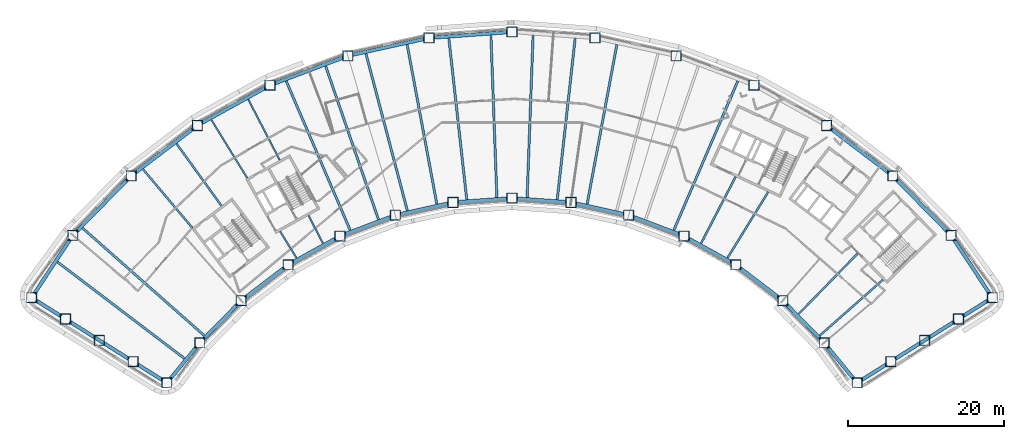
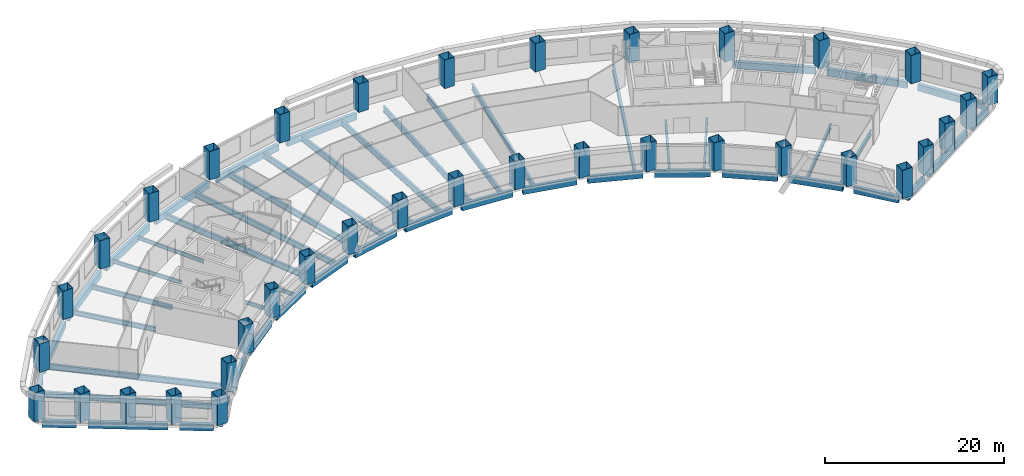
# One storey, part 1 of 11: 52 beams, 36 columns.
"""IFC4 building model written with IfcOpenShell, lengths in metres."""

from ifc_helpers import new_model, si_unit, direction, frame, origin, origin_2d, place, context, subcontext, project, spatial, hollow_rectangle, i_section, extrude, material, material_profile, profile_set, type_object, element, save


model = new_model("IFC4")

# Units and contexts
model_context = context("Model", 3, precision=1e-05, world=origin(), true_north=direction((0.0, 1.0)))
body_context = subcontext(model_context, "Body", "Model", "MODEL_VIEW")
ifc_project = project(units=[si_unit("LENGTHUNIT", "METRE"), si_unit("AREAUNIT", "SQUARE_METRE"), si_unit("VOLUMEUNIT", "CUBIC_METRE"), si_unit("PLANEANGLEUNIT", "RADIAN"), si_unit("MASSUNIT", "GRAM", prefix="KILO")], contexts=[model_context])

# Site, building, storey
site_placement = place(None, origin())
site = spatial("IfcSite", under=ifc_project, at=site_placement, CompositionType="ELEMENT")
building_placement = place(site_placement, origin())
building = spatial("IfcBuilding", under=site, at=building_placement, Name="Tuul Gate Civic Tower", CompositionType="ELEMENT")
storey_placement = place(building_placement, frame((0.0, 0.0, 52.5)))
storey = spatial("IfcBuildingStorey", under=building, at=storey_placement, Name="Level 11", CompositionType="ELEMENT", Elevation=52.5)

# Columns
ifc_material_1 = material(Name="Steel S355", Category="steel")
ifc_material_profile_1 = material_profile(ifc_material_1, hollow_rectangle(XDim=1.300048828125, YDim=1.300048828125, WallThickness=0.0400390625, at=origin_2d()), Name="BOX1300x1300x40")
ifc_profile_set_1 = profile_set([ifc_material_profile_1], Name="Steel S355")
column_type = type_object("IfcColumnType", Name="STR-COLUMN-BOX1300x1300x40", PredefinedType="COLUMN", material=ifc_profile_set_1)
for number, where, z_axis, x_axis, name in (
    (1, (61.6708984375, -20.22998046875, 0.0), (0.0, 0.0, 1.0), (1.0, 0.0, 0.0), "Column"),
    (2, (56.3720703125, -12.217041015625, 0.0), (0.0, 0.0, 1.0), (1.0, 0.0, 0.0), "Column"),
    (3, (48.89794921875, -4.592041015625, 0.0), (0.0, 0.0, 1.0), (1.0, 0.0, 0.0), "Column"),
    (4, (40.402099609375, 1.8759765625, 0.0), (0.0, 0.0, 1.0), (1.0, 0.0, 0.0), "Column"),
    (5, (31.06396484375, 7.052001953125, 0.0), (0.0, 0.0, 1.0), (1.0, 0.0, 0.0), "Column"),
    (6, (21.076904296875, 10.8291015625, 0.0), (0.0, 0.0, 1.0), (1.0, 0.0, 0.0), "Column"),
    (7, (10.64892578125, 13.126953125, 0.0), (0.0, 0.0, 1.0), (1.0, 0.0, 0.0), "Column"),
    (8, (0.0, 13.89794921875, 0.0), (0.0, 0.0, 1.0), (1.0, 0.0, 0.0), "Column"),
    (9, (-10.64892578125, 13.126953125, 0.0), (0.0, 0.0, 1.0), (1.0, 0.0, 0.0), "Column"),
    (10, (-21.076904296875, 10.8291015625, 0.0), (0.0, 0.0, 1.0), (1.0, 0.0, 0.0), "Column"),
    (11, (-31.06396484375, 7.052001953125, 0.0), (0.0, 0.0, 1.0), (1.0, 0.0, 0.0), "Column"),
    (12, (-40.402099609375, 1.8759765625, 0.0), (0.0, 0.0, 1.0), (1.0, 0.0, 0.0), "Column"),
    (13, (-48.89794921875, -4.592041015625, 0.0), (0.0, 0.0, 1.0), (1.0, 0.0, 0.0), "Column"),
    (14, (-56.3720703125, -12.217041015625, 0.0), (0.0, 0.0, 1.0), (1.0, 0.0, 0.0), "Column"),
    (15, (-61.6708984375, -20.22998046875, 0.0), (0.0, 0.0, 1.0), (1.0, 0.0, 0.0), "Column"),
    (16, (-57.327880859375, -22.964111328125, 0.0), (0.0, 0.0, 1.0), (1.0, 0.0, 0.0), "Column"),
    (17, (-52.986083984375, -25.698974609375, 0.0), (0.0, 0.0, 1.0), (1.0, 0.0, 0.0), "Column"),
    (18, (-48.64306640625, -28.43408203125, 0.0), (0.0, 0.0, 1.0), (1.0, 0.0, 0.0), "Column"),
    (19, (-44.301025390625, -31.16796875, 0.0), (0.0, 0.0, 1.0), (1.0, 0.0, 0.0), "Column"),
    (20, (-40.0810546875, -26.02587890625, 0.0), (0.0, 0.0, 1.0), (1.0, 0.0, 0.0), "Column"),
    (21, (-34.76708984375, -20.60498046875, 0.0), (0.0, 0.0, 1.0), (1.0, 0.0, 0.0), "Column"),
    (22, (-28.72705078125, -16.006103515625, 0.0), (0.0, 0.0, 1.0), (1.0, 0.0, 0.0), "Column"),
    (23, (-22.0869140625, -12.324951171875, 0.0), (0.0, 0.0, 1.0), (1.0, 0.0, 0.0), "Column"),
    (24, (-14.986083984375, -9.639892578125, 0.0), (0.0, 0.0, 1.0), (1.0, 0.0, 0.0), "Column"),
    (25, (-7.572021484375, -8.006103515625, 0.0), (0.0, 0.0, 1.0), (1.0, 0.0, 0.0), "Column"),
    (26, (0.0, -7.45703125, 0.0), (0.0, 0.0, 1.0), (1.0, 0.0, 0.0), "Column"),
    (27, (7.572021484375, -8.006103515625, 0.0), (0.0, 0.0, 1.0), (1.0, 0.0, 0.0), "Column"),
    (28, (14.986083984375, -9.639892578125, 0.0), (0.0, 0.0, 1.0), (1.0, 0.0, 0.0), "Column"),
    (29, (22.0869140625, -12.324951171875, 0.0), (0.0, 0.0, 1.0), (1.0, 0.0, 0.0), "Column"),
    (30, (28.72705078125, -16.006103515625, 0.0), (0.0, 0.0, 1.0), (1.0, 0.0, 0.0), "Column"),
    (31, (34.76708984375, -20.60498046875, 0.0), (0.0, 0.0, 1.0), (1.0, 0.0, 0.0), "Column"),
    (32, (40.0810546875, -26.02587890625, 0.0), (0.0, 0.0, 1.0), (1.0, 0.0, 0.0), "Column"),
    (33, (44.301025390625, -31.16796875, 0.0), (0.0, 0.0, 1.0), (1.0, 0.0, 0.0), "Column"),
    (34, (48.64306640625, -28.43408203125, 0.0), (0.0, 0.0, 1.0), (1.0, 0.0, 0.0), "Column"),
    (35, (52.986083984375, -25.698974609375, 0.0), (0.0, 0.0, 1.0), (1.0, 0.0, 0.0), "Column"),
    (36, (57.327880859375, -22.964111328125, 0.0), (0.0, 0.0, 1.0), (1.0, 0.0, 0.0), "Column"),
):
    element("IfcColumn", number, at=place(storey_placement, frame(where, z_axis=z_axis, x_axis=x_axis)), inside=storey, type_object=column_type, Name=name, PredefinedType="COLUMN", context=body_context, shape_type="SweptSolid", body=[
        extrude(hollow_rectangle(XDim=1.300048828125, YDim=1.300048828125, WallThickness=0.0400390625, at=origin_2d()), origin(), (0.0, 0.0, 1.0), 3.89990234375),
    ])

# Beams
ifc_material_2 = material(Name="Steel S355", Category="steel")
ifc_material_profile_2 = material_profile(ifc_material_2, i_section(OverallWidth=0.199951171875, OverallDepth=0.5, WebThickness=0.010009765625, FlangeThickness=0.01611328125, at=origin_2d()), Name="PG500x200x10x16")
ifc_profile_set_2 = profile_set([ifc_material_profile_2], Name="Steel S355")
beam_type_1 = type_object("IfcBeamType", Name="STR-FLOOR BEAM-PG500x200x10x16", PredefinedType="BEAM", material=ifc_profile_set_2)
beam_1_placement = place(storey_placement, frame((-24.271484375, -13.25, -0.550048828125), z_axis=(-0.460753800017, 0.887527991541, 0.0), x_axis=(-0.887527991541, -0.460753800017, 0.0)))
element("IfcBeam", 37, at=beam_1_placement, inside=storey, type_object=beam_type_1, Name="Floor beam", PredefinedType="BEAM", context=body_context, shape_type="SweptSolid", body=[
    extrude(i_section(OverallWidth=0.199951171875, OverallDepth=0.5, WebThickness=0.010009765625, FlangeThickness=0.01611328125, at=origin_2d()), origin(), (0.0, 0.0, 1.0), 4.03076171875),
])
beam_2_placement = place(storey_placement, frame((-29.816162109375, -2.570068359375, -0.550048828125), z_axis=(-0.460796303888, 0.887505924669, 0.0), x_axis=(-0.887505924669, -0.460796303888, 0.0)))
element("IfcBeam", 38, at=beam_2_placement, inside=storey, type_object=beam_type_1, Name="Floor beam", PredefinedType="BEAM", context=body_context, shape_type="SweptSolid", body=[
    extrude(i_section(OverallWidth=0.199951171875, OverallDepth=0.5, WebThickness=0.010009765625, FlangeThickness=0.01611328125, at=origin_2d()), origin(), (0.0, 0.0, 1.0), 8.77392578125),
])
beam_3_placement = place(storey_placement, frame((-27.666015625, -15.132080078125, -0.550048828125), z_axis=(-0.52482658642, 0.851209171818, 0.0), x_axis=(-0.851209171818, -0.52482658642, 0.0)))
element("IfcBeam", 39, at=beam_3_placement, inside=storey, type_object=beam_type_1, Name="Floor beam", PredefinedType="BEAM", context=body_context, shape_type="SweptSolid", body=[
    extrude(i_section(OverallWidth=0.199951171875, OverallDepth=0.5, WebThickness=0.010009765625, FlangeThickness=0.01611328125, at=origin_2d()), origin(), (0.0, 0.0, 1.0), 4.0341796875),
])
beam_4_placement = place(storey_placement, frame((-33.986572265625, -4.881591796875, -0.550048828125), z_axis=(-0.524852775892, 0.851193023725, 0.0), x_axis=(-0.851193023725, -0.524852775892, 0.0)))
element("IfcBeam", 40, at=beam_4_placement, inside=storey, type_object=beam_type_1, Name="Floor beam", PredefinedType="BEAM", context=body_context, shape_type="SweptSolid", body=[
    extrude(i_section(OverallWidth=0.199951171875, OverallDepth=0.5, WebThickness=0.010009765625, FlangeThickness=0.01611328125, at=origin_2d()), origin(), (0.0, 0.0, 1.0), 8.77978515625),
])
ifc_material_3 = material(Name="Steel S355", Category="steel")
ifc_material_profile_3 = material_profile(ifc_material_3, i_section(OverallWidth=0.25, OverallDepth=0.64990234375, WebThickness=0.011962890625, FlangeThickness=0.02001953125, at=origin_2d()), Name="PG650x250x12x20")
ifc_profile_set_3 = profile_set([ifc_material_profile_3], Name="Steel S355")
beam_type_2 = type_object("IfcBeamType", Name="STR-FLOOR BEAM-PG650x250x12x20", PredefinedType="BEAM", material=ifc_profile_set_3)
beam_5_placement = place(storey_placement, frame((39.515625, -25.092041015625, -0.625), z_axis=(0.749453803996, 0.662056640836, 0.0), x_axis=(-0.662056640836, 0.749453803996, 0.0)))
element("IfcBeam", 41, at=beam_5_placement, inside=storey, type_object=beam_type_2, Name="Floor beam", PredefinedType="BEAM", context=body_context, shape_type="SweptSolid", body=[
    extrude(i_section(OverallWidth=0.25, OverallDepth=0.64990234375, WebThickness=0.011962890625, FlangeThickness=0.02001953125, at=origin_2d()), origin(), (0.0, 0.0, 1.0), 10.819091796875),
])
beam_6_placement = place(storey_placement, frame((36.79833984375, -22.320068359375, -0.625), z_axis=(0.69867607041, 0.71543815151, 0.0), x_axis=(-0.71543815151, 0.69867607041, 0.0)))
element("IfcBeam", 42, at=beam_6_placement, inside=storey, type_object=beam_type_2, Name="Floor beam", PredefinedType="BEAM", context=body_context, shape_type="SweptSolid", body=[
    extrude(i_section(OverallWidth=0.25, OverallDepth=0.64990234375, WebThickness=0.011962890625, FlangeThickness=0.02001953125, at=origin_2d()), origin(), (0.0, 0.0, 1.0), 10.807373046875),
])
beam_7_placement = place(storey_placement, frame((27.666015625, -15.132080078125, -0.625), z_axis=(0.524860290861, 0.851188389886, 0.0), x_axis=(-0.851188389886, 0.524860290861, 0.0)))
element("IfcBeam", 43, at=beam_7_placement, inside=storey, type_object=beam_type_2, Name="Floor beam", PredefinedType="BEAM", context=body_context, shape_type="SweptSolid", body=[
    extrude(i_section(OverallWidth=0.25, OverallDepth=0.64990234375, WebThickness=0.011962890625, FlangeThickness=0.02001953125, at=origin_2d()), origin(), (0.0, 0.0, 1.0), 9.960693359375),
])
beam_8_placement = place(storey_placement, frame((24.271484375, -13.25, -0.625), z_axis=(0.460769194318, 0.887519999531, 0.0), x_axis=(-0.887519999531, 0.460769194318, 0.0)))
element("IfcBeam", 44, at=beam_8_placement, inside=storey, type_object=beam_type_2, Name="Floor beam", PredefinedType="BEAM", context=body_context, shape_type="SweptSolid", body=[
    extrude(i_section(OverallWidth=0.25, OverallDepth=0.64990234375, WebThickness=0.011962890625, FlangeThickness=0.02001953125, at=origin_2d()), origin(), (0.0, 0.0, 1.0), 9.631103515625),
])
beam_9_placement = place(storey_placement, frame((-37.289794921875, -8.447265625, -0.625), z_axis=(-0.586084828099, 0.810249698717, 0.0), x_axis=(-0.810249698717, -0.586084828099, 0.0)))
element("IfcBeam", 45, at=beam_9_placement, inside=storey, type_object=beam_type_2, Name="Floor beam", PredefinedType="BEAM", context=body_context, shape_type="SweptSolid", body=[
    extrude(i_section(OverallWidth=0.25, OverallDepth=0.64990234375, WebThickness=0.011962890625, FlangeThickness=0.02001953125, at=origin_2d()), origin(), (0.0, 0.0, 1.0), 9.85205078125),
])
beam_10_placement = place(storey_placement, frame((-41.0205078125, -11.28759765625, -0.625), z_axis=(-0.64412583455, 0.764919544308, 0.0), x_axis=(-0.764919544308, -0.64412583455, 0.0)))
element("IfcBeam", 46, at=beam_10_placement, inside=storey, type_object=beam_type_2, Name="Floor beam", PredefinedType="BEAM", context=body_context, shape_type="SweptSolid", body=[
    extrude(i_section(OverallWidth=0.25, OverallDepth=0.64990234375, WebThickness=0.011962890625, FlangeThickness=0.02001953125, at=origin_2d()), origin(), (0.0, 0.0, 1.0), 9.861083984375),
])
ifc_material_4 = material(Name="Steel S355", Category="steel")
ifc_material_profile_4 = material_profile(ifc_material_4, i_section(OverallWidth=0.300048828125, OverallDepth=0.800048828125, WebThickness=0.013916015625, FlangeThickness=0.02490234375, at=origin_2d()), Name="PG800x300x14x25")
ifc_profile_set_4 = profile_set([ifc_material_profile_4], Name="Steel S355")
beam_type_3 = type_object("IfcBeamType", Name="STR-FLOOR BEAM-PG800x300x14x25", PredefinedType="BEAM", material=ifc_profile_set_4)
beam_11_placement = place(storey_placement, frame((20.776611328125, -11.562255859375, -0.699951171875), z_axis=(0.394196672068, 0.91902610612, 0.0), x_axis=(-0.91902610612, 0.394196672068, 0.0)))
element("IfcBeam", 47, at=beam_11_placement, inside=storey, type_object=beam_type_3, Name="Floor beam", PredefinedType="BEAM", context=body_context, shape_type="SweptSolid", body=[
    extrude(i_section(OverallWidth=0.300048828125, OverallDepth=0.800048828125, WebThickness=0.013916015625, FlangeThickness=0.02490234375, at=origin_2d()), origin(), (0.0, 0.0, 1.0), 20.819580078125),
])
beam_12_placement = place(storey_placement, frame((9.6484375, -8.207763671875, -0.699951171875), z_axis=(0.183147342328, 0.98308547492, 0.0), x_axis=(-0.98308547492, 0.183147342328, 0.0)))
element("IfcBeam", 48, at=beam_12_placement, inside=storey, type_object=beam_type_3, Name="Floor beam", PredefinedType="BEAM", context=body_context, shape_type="SweptSolid", body=[
    extrude(i_section(OverallWidth=0.300048828125, OverallDepth=0.800048828125, WebThickness=0.013916015625, FlangeThickness=0.02490234375, at=origin_2d()), origin(), (0.0, 0.0, 1.0), 20.811279296875),
])
beam_13_placement = place(storey_placement, frame((5.811279296875, -7.627685546875, -0.699951171875), z_axis=(0.110288630292, 0.993899601584, 0.0), x_axis=(-0.993899601584, 0.110288630292, 0.0)))
element("IfcBeam", 49, at=beam_13_placement, inside=storey, type_object=beam_type_3, Name="Floor beam", PredefinedType="BEAM", context=body_context, shape_type="SweptSolid", body=[
    extrude(i_section(OverallWidth=0.300048828125, OverallDepth=0.800048828125, WebThickness=0.013916015625, FlangeThickness=0.02490234375, at=origin_2d()), origin(), (0.0, 0.0, 1.0), 20.81494140625),
])
for number, where, z_axis, x_axis, name in (
    (50, (1.9404296875, -7.346923828125, -0.699951171875), (0.036822059508, 0.999321838015, 0.0), (-0.999321838015, 0.036822059508, 0.0), "Floor beam"),
    (51, (-1.9404296875, -7.346923828125, -0.699951171875), (-0.036822059508, 0.999321838015, 0.0), (-0.999321838015, -0.036822059508, 0.0), "Floor beam"),
):
    element("IfcBeam", number, at=place(storey_placement, frame(where, z_axis=z_axis, x_axis=x_axis)), inside=storey, type_object=beam_type_3, Name=name, PredefinedType="BEAM", context=body_context, shape_type="SweptSolid", body=[
        extrude(i_section(OverallWidth=0.300048828125, OverallDepth=0.800048828125, WebThickness=0.013916015625, FlangeThickness=0.02490234375, at=origin_2d()), origin(), (0.0, 0.0, 1.0), 20.8125),
    ])
beam_14_placement = place(storey_placement, frame((-5.811279296875, -7.627685546875, -0.699951171875), z_axis=(-0.110288630292, 0.993899601584, 0.0), x_axis=(-0.993899601584, -0.110288630292, 0.0)))
element("IfcBeam", 52, at=beam_14_placement, inside=storey, type_object=beam_type_3, Name="Floor beam", PredefinedType="BEAM", context=body_context, shape_type="SweptSolid", body=[
    extrude(i_section(OverallWidth=0.300048828125, OverallDepth=0.800048828125, WebThickness=0.013916015625, FlangeThickness=0.02490234375, at=origin_2d()), origin(), (0.0, 0.0, 1.0), 20.81494140625),
])
beam_15_placement = place(storey_placement, frame((-9.6484375, -8.207763671875, -0.699951171875), z_axis=(-0.183147342328, 0.98308547492, 0.0), x_axis=(-0.98308547492, -0.183147342328, 0.0)))
element("IfcBeam", 53, at=beam_15_placement, inside=storey, type_object=beam_type_3, Name="Floor beam", PredefinedType="BEAM", context=body_context, shape_type="SweptSolid", body=[
    extrude(i_section(OverallWidth=0.300048828125, OverallDepth=0.800048828125, WebThickness=0.013916015625, FlangeThickness=0.02490234375, at=origin_2d()), origin(), (0.0, 0.0, 1.0), 20.811279296875),
])
beam_16_placement = place(storey_placement, frame((-13.438720703125, -9.04296875, -0.699951171875), z_axis=(-0.255004720301, 0.96693980817, 0.0), x_axis=(-0.96693980817, -0.255004720301, 0.0)))
element("IfcBeam", 54, at=beam_16_placement, inside=storey, type_object=beam_type_3, Name="Floor beam", PredefinedType="BEAM", context=body_context, shape_type="SweptSolid", body=[
    extrude(i_section(OverallWidth=0.300048828125, OverallDepth=0.800048828125, WebThickness=0.013916015625, FlangeThickness=0.02490234375, at=origin_2d()), origin(), (0.0, 0.0, 1.0), 20.817626953125),
])
beam_17_placement = place(storey_placement, frame((-17.146240234375, -10.189453125, -0.699951171875), z_axis=(-0.325486974479, 0.945546524209, 0.0), x_axis=(-0.945546524209, -0.325486974479, 0.0)))
element("IfcBeam", 55, at=beam_17_placement, inside=storey, type_object=beam_type_3, Name="Floor beam", PredefinedType="BEAM", context=body_context, shape_type="SweptSolid", body=[
    extrude(i_section(OverallWidth=0.300048828125, OverallDepth=0.800048828125, WebThickness=0.013916015625, FlangeThickness=0.02490234375, at=origin_2d()), origin(), (0.0, 0.0, 1.0), 20.809326171875),
])
beam_18_placement = place(storey_placement, frame((-20.776611328125, -11.562255859375, -0.699951171875), z_axis=(-0.394196672068, 0.91902610612, 0.0), x_axis=(-0.91902610612, -0.394196672068, 0.0)))
element("IfcBeam", 56, at=beam_18_placement, inside=storey, type_object=beam_type_3, Name="Floor beam", PredefinedType="BEAM", context=body_context, shape_type="SweptSolid", body=[
    extrude(i_section(OverallWidth=0.300048828125, OverallDepth=0.800048828125, WebThickness=0.013916015625, FlangeThickness=0.02490234375, at=origin_2d()), origin(), (0.0, 0.0, 1.0), 20.819580078125),
])
beam_19_placement = place(storey_placement, frame((-39.515625, -25.092041015625, -0.699951171875), z_axis=(-0.749453243269, 0.662057275584, 0.0), x_axis=(-0.662057275584, -0.749453243269, 0.0)))
element("IfcBeam", 57, at=beam_19_placement, inside=storey, type_object=beam_type_3, Name="Floor beam", PredefinedType="BEAM", context=body_context, shape_type="SweptSolid", body=[
    extrude(i_section(OverallWidth=0.300048828125, OverallDepth=0.800048828125, WebThickness=0.013916015625, FlangeThickness=0.02490234375, at=origin_2d()), origin(), (0.0, 0.0, 1.0), 20.828369140625),
])
beam_20_placement = place(storey_placement, frame((-42.0546875, -28.036865234375, -0.699951171875), z_axis=(-0.796150928405, 0.60509809056, 0.0), x_axis=(-0.60509809056, -0.796150928405, 0.0)))
element("IfcBeam", 58, at=beam_20_placement, inside=storey, type_object=beam_type_3, Name="Floor beam", PredefinedType="BEAM", context=body_context, shape_type="SweptSolid", body=[
    extrude(i_section(OverallWidth=0.300048828125, OverallDepth=0.800048828125, WebThickness=0.013916015625, FlangeThickness=0.02490234375, at=origin_2d()), origin(), (0.0, 0.0, 1.0), 20.462646484375),
])
ifc_material_5 = material(Name="Steel S355", Category="steel")
ifc_material_profile_5 = material_profile(ifc_material_5, hollow_rectangle(XDim=0.449951171875, YDim=0.89990234375, WallThickness=0.02490234375, at=origin_2d()), Name="BOX900x450x25")
ifc_profile_set_5 = profile_set([ifc_material_profile_5], Name="Steel S355")
beam_type_4 = type_object("IfcBeamType", Name="STR-SPANDREL BEAM-BOX900x450x25", PredefinedType="BEAM", material=ifc_profile_set_5)
beam_21_placement = place(storey_placement, frame((61.3125, -19.687744140625, -0.75), z_axis=(-0.551617087086, 0.834097469865, 0.0), x_axis=(-0.834097469865, -0.551617087086, 0.0)))
element("IfcBeam", 59, at=beam_21_placement, inside=storey, type_object=beam_type_4, Name="Spandrel beam", PredefinedType="BEAM", context=body_context, shape_type="SweptSolid", body=[
    extrude(hollow_rectangle(XDim=0.449951171875, YDim=0.89990234375, WallThickness=0.02490234375, at=origin_2d()), origin(), (0.0, 0.0, 1.0), 8.306640625),
])
beam_22_placement = place(storey_placement, frame((55.9169921875, -11.752685546875, -0.75), z_axis=(-0.700002686238, 0.714140209805, 0.0), x_axis=(-0.714140209805, -0.700002686238, 0.0)))
element("IfcBeam", 60, at=beam_22_placement, inside=storey, type_object=beam_type_4, Name="Spandrel beam", PredefinedType="BEAM", context=body_context, shape_type="SweptSolid", body=[
    extrude(hollow_rectangle(XDim=0.449951171875, YDim=0.89990234375, WallThickness=0.02490234375, at=origin_2d()), origin(), (0.0, 0.0, 1.0), 9.376953125),
])
beam_23_placement = place(storey_placement, frame((48.380859375, -4.1982421875, -0.75), z_axis=(-0.795671303352, 0.605728633154, 0.0), x_axis=(-0.605728633154, -0.795671303352, 0.0)))
element("IfcBeam", 61, at=beam_23_placement, inside=storey, type_object=beam_type_4, Name="Spandrel beam", PredefinedType="BEAM", context=body_context, shape_type="SweptSolid", body=[
    extrude(hollow_rectangle(XDim=0.449951171875, YDim=0.89990234375, WallThickness=0.02490234375, at=origin_2d()), origin(), (0.0, 0.0, 1.0), 9.3779296875),
])
beam_24_placement = place(storey_placement, frame((-0.648193359375, 13.85107421875, -0.75), z_axis=(-0.997388439542, -0.072223961869, 0.0), x_axis=(0.072223961869, -0.997388439542, 0.0)))
element("IfcBeam", 62, at=beam_24_placement, inside=storey, type_object=beam_type_4, Name="Spandrel beam", PredefinedType="BEAM", context=body_context, shape_type="SweptSolid", body=[
    extrude(hollow_rectangle(XDim=0.449951171875, YDim=0.89990234375, WallThickness=0.02490234375, at=origin_2d()), origin(), (0.0, 0.0, 1.0), 9.376953125),
])
beam_25_placement = place(storey_placement, frame((-11.28369140625, 12.987060546875, -0.75), z_axis=(-0.976572630495, -0.215188051174, 0.0), x_axis=(0.215188051174, -0.976572630495, 0.0)))
element("IfcBeam", 63, at=beam_25_placement, inside=storey, type_object=beam_type_4, Name="Spandrel beam", PredefinedType="BEAM", context=body_context, shape_type="SweptSolid", body=[
    extrude(hollow_rectangle(XDim=0.449951171875, YDim=0.89990234375, WallThickness=0.02490234375, at=origin_2d()), origin(), (0.0, 0.0, 1.0), 9.378173828125),
])
beam_26_placement = place(storey_placement, frame((-21.68505859375, 10.59912109375, -0.75), z_axis=(-0.935343306637, -0.353741287849, 0.0), x_axis=(0.353741287849, -0.935343306637, 0.0)))
element("IfcBeam", 64, at=beam_26_placement, inside=storey, type_object=beam_type_4, Name="Spandrel beam", PredefinedType="BEAM", context=body_context, shape_type="SweptSolid", body=[
    extrude(hollow_rectangle(XDim=0.449951171875, YDim=0.89990234375, WallThickness=0.02490234375, at=origin_2d()), origin(), (0.0, 0.0, 1.0), 9.377197265625),
])
beam_27_placement = place(storey_placement, frame((-31.632568359375, 6.73681640625, -0.75), z_axis=(-0.874628488078, -0.484793778676, 0.0), x_axis=(0.484793778676, -0.874628488078, 0.0)))
element("IfcBeam", 65, at=beam_27_placement, inside=storey, type_object=beam_type_4, Name="Spandrel beam", PredefinedType="BEAM", context=body_context, shape_type="SweptSolid", body=[
    extrude(hollow_rectangle(XDim=0.449951171875, YDim=0.89990234375, WallThickness=0.02490234375, at=origin_2d()), origin(), (0.0, 0.0, 1.0), 9.37646484375),
])
beam_28_placement = place(storey_placement, frame((-40.919189453125, 1.482177734375, -0.75), z_axis=(-0.795671303352, -0.605728633154, 0.0), x_axis=(0.605728633154, -0.795671303352, 0.0)))
element("IfcBeam", 66, at=beam_28_placement, inside=storey, type_object=beam_type_4, Name="Spandrel beam", PredefinedType="BEAM", context=body_context, shape_type="SweptSolid", body=[
    extrude(hollow_rectangle(XDim=0.449951171875, YDim=0.89990234375, WallThickness=0.02490234375, at=origin_2d()), origin(), (0.0, 0.0, 1.0), 9.3779296875),
])
beam_29_placement = place(storey_placement, frame((-49.35302734375, -5.05615234375, -0.75), z_axis=(-0.700002686238, -0.714140209805, 0.0), x_axis=(0.714140209805, -0.700002686238, 0.0)))
element("IfcBeam", 67, at=beam_29_placement, inside=storey, type_object=beam_type_4, Name="Spandrel beam", PredefinedType="BEAM", context=body_context, shape_type="SweptSolid", body=[
    extrude(hollow_rectangle(XDim=0.449951171875, YDim=0.89990234375, WallThickness=0.02490234375, at=origin_2d()), origin(), (0.0, 0.0, 1.0), 9.376953125),
])
beam_30_placement = place(storey_placement, frame((-56.73046875, -12.75927734375, -0.75), z_axis=(-0.551617087086, -0.834097469865, 0.0), x_axis=(0.834097469865, -0.551617087086, 0.0)))
element("IfcBeam", 68, at=beam_30_placement, inside=storey, type_object=beam_type_4, Name="Spandrel beam", PredefinedType="BEAM", context=body_context, shape_type="SweptSolid", body=[
    extrude(hollow_rectangle(XDim=0.449951171875, YDim=0.89990234375, WallThickness=0.02490234375, at=origin_2d()), origin(), (0.0, 0.0, 1.0), 8.306640625),
])
beam_31_placement = place(storey_placement, frame((-61.120849609375, -20.576171875, -0.75), z_axis=(0.84625411926, -0.53277947186, 0.0), x_axis=(0.53277947186, 0.84625411926, 0.0)))
element("IfcBeam", 69, at=beam_31_placement, inside=storey, type_object=beam_type_4, Name="Spandrel beam", PredefinedType="BEAM", context=body_context, shape_type="SweptSolid", body=[
    extrude(hollow_rectangle(XDim=0.449951171875, YDim=0.89990234375, WallThickness=0.02490234375, at=origin_2d()), origin(), (0.0, 0.0, 1.0), 3.831787109375),
])
beam_32_placement = place(storey_placement, frame((-56.778076171875, -23.310302734375, -0.75), z_axis=(0.846150963227, -0.532943287255, 0.0), x_axis=(0.532943287255, 0.846150963227, 0.0)))
element("IfcBeam", 70, at=beam_32_placement, inside=storey, type_object=beam_type_4, Name="Spandrel beam", PredefinedType="BEAM", context=body_context, shape_type="SweptSolid", body=[
    extrude(hollow_rectangle(XDim=0.449951171875, YDim=0.89990234375, WallThickness=0.02490234375, at=origin_2d()), origin(), (0.0, 0.0, 1.0), 8.964111328125),
])
beam_33_placement = place(storey_placement, frame((-48.093017578125, -28.7802734375, -0.75), z_axis=(0.846199849372, -0.532865663111, 0.0), x_axis=(0.532865663111, 0.846199849372, 0.0)))
element("IfcBeam", 71, at=beam_33_placement, inside=storey, type_object=beam_type_4, Name="Spandrel beam", PredefinedType="BEAM", context=body_context, shape_type="SweptSolid", body=[
    extrude(hollow_rectangle(XDim=0.449951171875, YDim=0.89990234375, WallThickness=0.02490234375, at=origin_2d()), origin(), (0.0, 0.0, 1.0), 3.831298828125),
])
beam_34_placement = place(storey_placement, frame((-43.888671875, -30.66552734375, -0.75), z_axis=(0.634409581781, 0.772997077966, 0.0), x_axis=(-0.772997077966, 0.634409581781, 0.0)))
element("IfcBeam", 72, at=beam_34_placement, inside=storey, type_object=beam_type_4, Name="Spandrel beam", PredefinedType="BEAM", context=body_context, shape_type="SweptSolid", body=[
    extrude(hollow_rectangle(XDim=0.449951171875, YDim=0.89990234375, WallThickness=0.02490234375, at=origin_2d()), origin(), (0.0, 0.0, 1.0), 5.351806640625),
])
beam_35_placement = place(storey_placement, frame((-39.6259765625, -25.561767578125, -0.75), z_axis=(0.700028343012, 0.714115060043, 0.0), x_axis=(-0.714115060043, 0.700028343012, 0.0)))
element("IfcBeam", 73, at=beam_35_placement, inside=storey, type_object=beam_type_4, Name="Spandrel beam", PredefinedType="BEAM", context=body_context, shape_type="SweptSolid", body=[
    extrude(hollow_rectangle(XDim=0.449951171875, YDim=0.89990234375, WallThickness=0.02490234375, at=origin_2d()), origin(), (0.0, 0.0, 1.0), 6.291259765625),
])
beam_36_placement = place(storey_placement, frame((-34.249755859375, -20.211181640625, -0.75), z_axis=(0.795606278915, 0.605814038259, 0.0), x_axis=(-0.605814038259, 0.795606278915, 0.0)))
element("IfcBeam", 74, at=beam_36_placement, inside=storey, type_object=beam_type_4, Name="Spandrel beam", PredefinedType="BEAM", context=body_context, shape_type="SweptSolid", body=[
    extrude(hollow_rectangle(XDim=0.449951171875, YDim=0.89990234375, WallThickness=0.02490234375, at=origin_2d()), origin(), (0.0, 0.0, 1.0), 6.29150390625),
])
beam_37_placement = place(storey_placement, frame((-28.158447265625, -15.69091796875, -0.75), z_axis=(0.874588873098, 0.484865242158, 0.0), x_axis=(-0.484865242158, 0.874588873098, 0.0)))
element("IfcBeam", 75, at=beam_37_placement, inside=storey, type_object=beam_type_4, Name="Spandrel beam", PredefinedType="BEAM", context=body_context, shape_type="SweptSolid", body=[
    extrude(hollow_rectangle(XDim=0.449951171875, YDim=0.89990234375, WallThickness=0.02490234375, at=origin_2d()), origin(), (0.0, 0.0, 1.0), 6.2919921875),
])
beam_38_placement = place(storey_placement, frame((-21.47900390625, -12.09521484375, -0.75), z_axis=(0.93536086851, 0.353694848225, 0.0), x_axis=(-0.353694848225, 0.93536086851, 0.0)))
element("IfcBeam", 76, at=beam_38_placement, inside=storey, type_object=beam_type_4, Name="Spandrel beam", PredefinedType="BEAM", context=body_context, shape_type="SweptSolid", body=[
    extrude(hollow_rectangle(XDim=0.449951171875, YDim=0.89990234375, WallThickness=0.02490234375, at=origin_2d()), origin(), (0.0, 0.0, 1.0), 6.291748046875),
])
beam_39_placement = place(storey_placement, frame((-14.351318359375, -9.5, -0.75), z_axis=(0.976570802394, 0.215196347349, 0.0), x_axis=(-0.215196347349, 0.976570802394, 0.0)))
element("IfcBeam", 77, at=beam_39_placement, inside=storey, type_object=beam_type_4, Name="Spandrel beam", PredefinedType="BEAM", context=body_context, shape_type="SweptSolid", body=[
    extrude(hollow_rectangle(XDim=0.449951171875, YDim=0.89990234375, WallThickness=0.02490234375, at=origin_2d()), origin(), (0.0, 0.0, 1.0), 6.2919921875),
])
for number, where, z_axis, x_axis, name in (
    (78, (-6.923583984375, -7.958984375, -0.75), (0.997380902931, 0.072327964638, 0.0), (-0.072327964638, 0.997380902931, 0.0), "Spandrel beam"),
    (79, (0.648193359375, -7.50390625, -0.75), (0.997380902931, -0.072327964638, 0.0), (0.072327964638, 0.997380902931, 0.0), "Spandrel beam"),
):
    element("IfcBeam", number, at=place(storey_placement, frame(where, z_axis=z_axis, x_axis=x_axis)), inside=storey, type_object=beam_type_4, Name=name, PredefinedType="BEAM", context=body_context, shape_type="SweptSolid", body=[
        extrude(hollow_rectangle(XDim=0.449951171875, YDim=0.89990234375, WallThickness=0.02490234375, at=origin_2d()), origin(), (0.0, 0.0, 1.0), 6.291748046875),
    ])
beam_40_placement = place(storey_placement, frame((8.206787109375, -8.14599609375, -0.75), z_axis=(0.976570802394, -0.215196347349, 0.0), x_axis=(0.215196347349, 0.976570802394, 0.0)))
element("IfcBeam", 80, at=beam_40_placement, inside=storey, type_object=beam_type_4, Name="Spandrel beam", PredefinedType="BEAM", context=body_context, shape_type="SweptSolid", body=[
    extrude(hollow_rectangle(XDim=0.449951171875, YDim=0.89990234375, WallThickness=0.02490234375, at=origin_2d()), origin(), (0.0, 0.0, 1.0), 6.2919921875),
])
beam_41_placement = place(storey_placement, frame((15.593994140625, -9.869873046875, -0.75), z_axis=(0.93536086851, -0.353694848225, 0.0), x_axis=(0.353694848225, 0.93536086851, 0.0)))
element("IfcBeam", 81, at=beam_41_placement, inside=storey, type_object=beam_type_4, Name="Spandrel beam", PredefinedType="BEAM", context=body_context, shape_type="SweptSolid", body=[
    extrude(hollow_rectangle(XDim=0.449951171875, YDim=0.89990234375, WallThickness=0.02490234375, at=origin_2d()), origin(), (0.0, 0.0, 1.0), 6.291748046875),
])
beam_42_placement = place(storey_placement, frame((22.655517578125, -12.64013671875, -0.75), z_axis=(0.874588873098, -0.484865242158, 0.0), x_axis=(0.484865242158, 0.874588873098, 0.0)))
element("IfcBeam", 82, at=beam_42_placement, inside=storey, type_object=beam_type_4, Name="Spandrel beam", PredefinedType="BEAM", context=body_context, shape_type="SweptSolid", body=[
    extrude(hollow_rectangle(XDim=0.449951171875, YDim=0.89990234375, WallThickness=0.02490234375, at=origin_2d()), origin(), (0.0, 0.0, 1.0), 6.2919921875),
])
beam_43_placement = place(storey_placement, frame((29.244140625, -16.399658203125, -0.75), z_axis=(0.795606278915, -0.605814038259, 0.0), x_axis=(0.605814038259, 0.795606278915, 0.0)))
element("IfcBeam", 83, at=beam_43_placement, inside=storey, type_object=beam_type_4, Name="Spandrel beam", PredefinedType="BEAM", context=body_context, shape_type="SweptSolid", body=[
    extrude(hollow_rectangle(XDim=0.449951171875, YDim=0.89990234375, WallThickness=0.02490234375, at=origin_2d()), origin(), (0.0, 0.0, 1.0), 6.29150390625),
])
beam_44_placement = place(storey_placement, frame((35.221923828125, -21.069091796875, -0.75), z_axis=(0.700028343012, -0.714115060043, 0.0), x_axis=(0.714115060043, 0.700028343012, 0.0)))
element("IfcBeam", 84, at=beam_44_placement, inside=storey, type_object=beam_type_4, Name="Spandrel beam", PredefinedType="BEAM", context=body_context, shape_type="SweptSolid", body=[
    extrude(hollow_rectangle(XDim=0.449951171875, YDim=0.89990234375, WallThickness=0.02490234375, at=origin_2d()), origin(), (0.0, 0.0, 1.0), 6.291259765625),
])
beam_45_placement = place(storey_placement, frame((40.493408203125, -26.528564453125, -0.75), z_axis=(0.634409581781, -0.772997077966, 0.0), x_axis=(0.772997077966, 0.634409581781, 0.0)))
element("IfcBeam", 85, at=beam_45_placement, inside=storey, type_object=beam_type_4, Name="Spandrel beam", PredefinedType="BEAM", context=body_context, shape_type="SweptSolid", body=[
    extrude(hollow_rectangle(XDim=0.449951171875, YDim=0.89990234375, WallThickness=0.02490234375, at=origin_2d()), origin(), (0.0, 0.0, 1.0), 5.351806640625),
])
beam_46_placement = place(storey_placement, frame((44.85107421875, -30.82177734375, -0.75), z_axis=(0.846199849372, 0.532865663111, 0.0), x_axis=(-0.532865663111, 0.846199849372, 0.0)))
element("IfcBeam", 86, at=beam_46_placement, inside=storey, type_object=beam_type_4, Name="Spandrel beam", PredefinedType="BEAM", context=body_context, shape_type="SweptSolid", body=[
    extrude(hollow_rectangle(XDim=0.449951171875, YDim=0.89990234375, WallThickness=0.02490234375, at=origin_2d()), origin(), (0.0, 0.0, 1.0), 3.831298828125),
])
beam_47_placement = place(storey_placement, frame((49.193115234375, -28.087646484375, -0.75), z_axis=(0.846150963227, 0.532943287255, 0.0), x_axis=(-0.532943287255, 0.846150963227, 0.0)))
element("IfcBeam", 87, at=beam_47_placement, inside=storey, type_object=beam_type_4, Name="Spandrel beam", PredefinedType="BEAM", context=body_context, shape_type="SweptSolid", body=[
    extrude(hollow_rectangle(XDim=0.449951171875, YDim=0.89990234375, WallThickness=0.02490234375, at=origin_2d()), origin(), (0.0, 0.0, 1.0), 8.964111328125),
])
beam_48_placement = place(storey_placement, frame((57.878173828125, -22.61767578125, -0.75), z_axis=(0.84625411926, 0.53277947186, 0.0), x_axis=(-0.53277947186, 0.84625411926, 0.0)))
element("IfcBeam", 88, at=beam_48_placement, inside=storey, type_object=beam_type_4, Name="Spandrel beam", PredefinedType="BEAM", context=body_context, shape_type="SweptSolid", body=[
    extrude(hollow_rectangle(XDim=0.449951171875, YDim=0.89990234375, WallThickness=0.02490234375, at=origin_2d()), origin(), (0.0, 0.0, 1.0), 3.831787109375),
])

save(model, "model.ifc")
